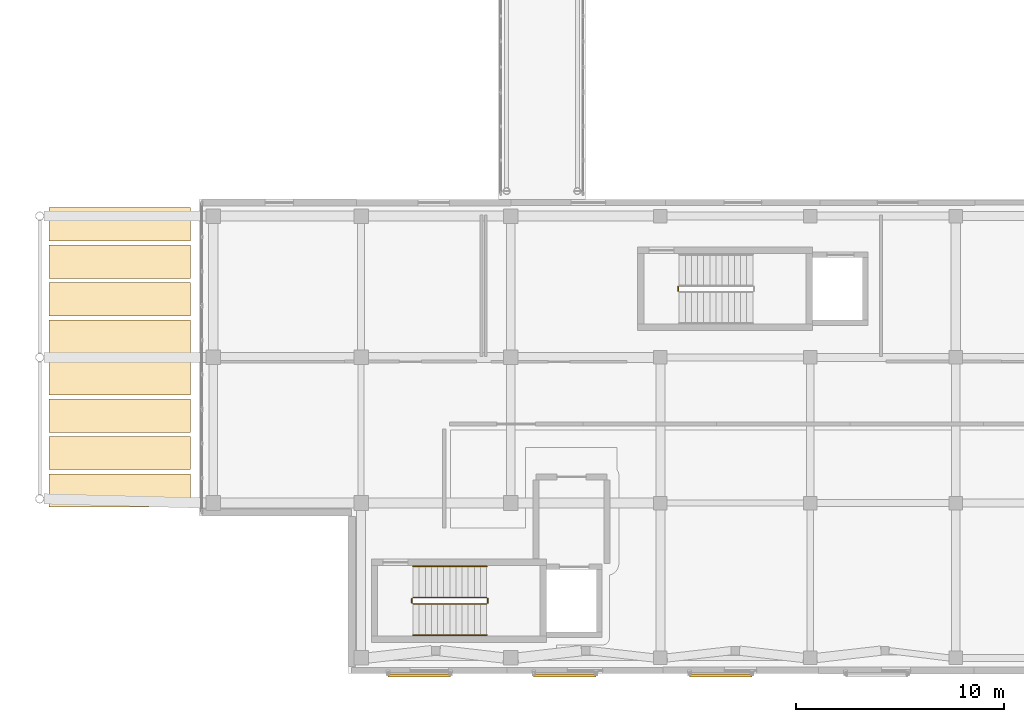
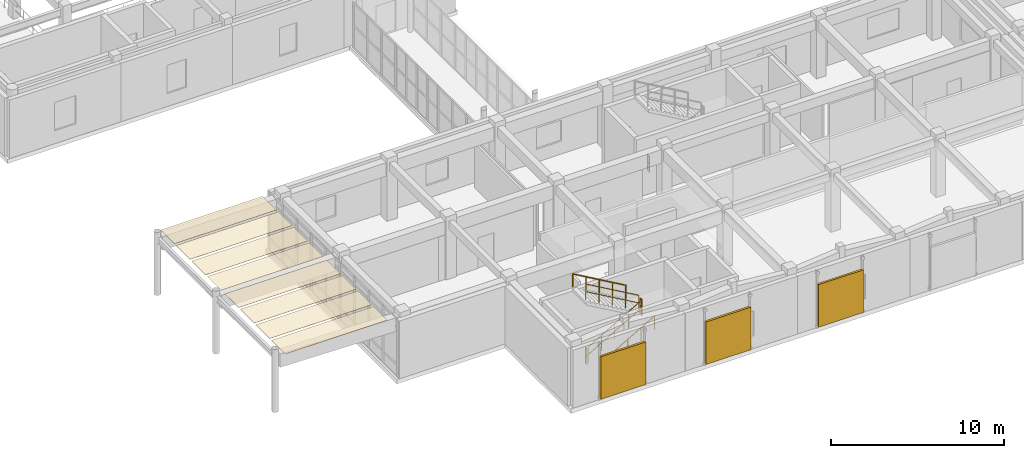
# One storey, part 133 of 142: 8 coverings, 7 railings, 3 shading devices.
"""IFC4 building model written with IfcOpenShell, lengths in metres."""

from ifc_helpers import new_model, si_unit, direction, frame, origin, origin_2d, place, context, subcontext, project, spatial, polyline, rectangle, circle, outline, extrude, material, layer, layer_set, type_object, element, save


model = new_model("IFC4")

# Units and contexts
model_context = context("Model", 3, precision=1e-05, world=origin(), true_north=direction((0.0, 1.0)))
body_context = subcontext(model_context, "Body", "Model", "MODEL_VIEW")
ifc_project = project(units=[si_unit("LENGTHUNIT", "METRE"), si_unit("AREAUNIT", "SQUARE_METRE"), si_unit("VOLUMEUNIT", "CUBIC_METRE"), si_unit("PLANEANGLEUNIT", "RADIAN"), si_unit("MASSUNIT", "GRAM", prefix="KILO")], contexts=[model_context])

# Site, building, storey
site_placement = place(None, origin())
site = spatial("IfcSite", under=ifc_project, at=site_placement, CompositionType="ELEMENT")
building_placement = place(site_placement, origin())
building = spatial("IfcBuilding", under=site, at=building_placement, Name="Valcora Specialist Clinic", CompositionType="ELEMENT")
storey_placement = place(building_placement, frame((0.0, 0.0, 5.10009765625)))
storey = spatial("IfcBuildingStorey", under=building, at=storey_placement, Name="L01", CompositionType="ELEMENT", Elevation=5.10009765625)

# Coverings
ifc_material_1 = material(Name="Anodized Bronze Aluminium 6063-T6", Category="aluminium")
ifc_layer_1 = layer(ifc_material_1, 0.02490234375)
ifc_layer_set_1 = layer_set([ifc_layer_1], Name="Anodized Bronze Aluminium 6063-T6")
covering_type = type_object("IfcCoveringType", Name="TY-CV-CLD025", PredefinedType="CLADDING", material=ifc_layer_set_1)
covering_1_placement = place(storey_placement, frame((0.0, 0.0, 4.0498046875)))
element("IfcCovering", 1, at=covering_1_placement, inside=storey, type_object=covering_type, Name="Cantilever bronze soffit cladding 1", PredefinedType="CLADDING", context=body_context, shape_type="SweptSolid", body=[
    extrude(outline(polyline([(1.199951171875, 8.0), (8.0, 8.0), (8.0, 9.60009765625), (1.199951171875, 9.60009765625), (1.199951171875, 8.0)])), origin(), (0.0, 0.0, 1.0), 0.025146484375),
])
covering_2_placement = place(storey_placement, frame((0.0, 0.0, 4.0498046875)))
element("IfcCovering", 2, at=covering_2_placement, inside=storey, type_object=covering_type, Name="Cantilever bronze soffit cladding 2", PredefinedType="CLADDING", context=body_context, shape_type="SweptSolid", body=[
    extrude(outline(polyline([(1.199951171875, 9.800048828125), (8.0, 9.800048828125), (8.0, 11.39990234375), (1.199951171875, 11.39990234375), (1.199951171875, 9.800048828125)])), origin(), (0.0, 0.0, 1.0), 0.025146484375),
])
covering_3_placement = place(storey_placement, frame((0.0, 0.0, 4.0498046875)))
element("IfcCovering", 3, at=covering_3_placement, inside=storey, type_object=covering_type, Name="Cantilever bronze soffit cladding 3", PredefinedType="CLADDING", context=body_context, shape_type="SweptSolid", body=[
    extrude(outline(polyline([(1.199951171875, 11.60009765625), (8.0, 11.60009765625), (8.0, 13.199951171875), (1.199951171875, 13.199951171875), (1.199951171875, 11.60009765625)])), origin(), (0.0, 0.0, 1.0), 0.025146484375),
])
covering_4_placement = place(storey_placement, frame((0.0, 0.0, 4.0498046875)))
element("IfcCovering", 4, at=covering_4_placement, inside=storey, type_object=covering_type, Name="Cantilever bronze soffit cladding 4", PredefinedType="CLADDING", context=body_context, shape_type="SweptSolid", body=[
    extrude(outline(polyline([(1.199951171875, 13.39990234375), (8.0, 13.39990234375), (8.0, 15.0), (1.199951171875, 15.0), (1.199951171875, 13.39990234375)])), origin(), (0.0, 0.0, 1.0), 0.025146484375),
])
covering_5_placement = place(storey_placement, frame((0.0, 0.0, 4.0498046875)))
element("IfcCovering", 5, at=covering_5_placement, inside=storey, type_object=covering_type, Name="Cantilever bronze soffit cladding 5", PredefinedType="CLADDING", context=body_context, shape_type="SweptSolid", body=[
    extrude(outline(polyline([(1.199951171875, 15.39990234375), (8.0, 15.39990234375), (8.0, 17.0), (1.199951171875, 17.0), (1.199951171875, 15.39990234375)])), origin(), (0.0, 0.0, 1.0), 0.025146484375),
])
covering_6_placement = place(storey_placement, frame((0.0, 0.0, 4.0498046875)))
element("IfcCovering", 6, at=covering_6_placement, inside=storey, type_object=covering_type, Name="Cantilever bronze soffit cladding 6", PredefinedType="CLADDING", context=body_context, shape_type="SweptSolid", body=[
    extrude(outline(polyline([(1.199951171875, 17.199951171875), (8.0, 17.199951171875), (8.0, 18.800048828125), (1.199951171875, 18.800048828125), (1.199951171875, 17.199951171875)])), origin(), (0.0, 0.0, 1.0), 0.025146484375),
])
covering_7_placement = place(storey_placement, frame((0.0, 0.0, 4.0498046875)))
element("IfcCovering", 7, at=covering_7_placement, inside=storey, type_object=covering_type, Name="Cantilever bronze soffit cladding 7", PredefinedType="CLADDING", context=body_context, shape_type="SweptSolid", body=[
    extrude(outline(polyline([(1.199951171875, 19.0), (8.0, 19.0), (8.0, 20.60009765625), (1.199951171875, 20.60009765625), (1.199951171875, 19.0)])), origin(), (0.0, 0.0, 1.0), 0.025146484375),
])
covering_8_placement = place(storey_placement, frame((0.0, 0.0, 4.0498046875)))
element("IfcCovering", 8, at=covering_8_placement, inside=storey, type_object=covering_type, Name="Cantilever bronze soffit cladding 8", PredefinedType="CLADDING", context=body_context, shape_type="SweptSolid", body=[
    extrude(outline(polyline([(1.199951171875, 20.800048828125), (8.0, 20.800048828125), (8.0, 22.39990234375), (1.199951171875, 22.39990234375), (1.199951171875, 20.800048828125)])), origin(), (0.0, 0.0, 1.0), 0.025146484375),
])

# Railings
ifc_material_2 = material(Name="Stainless Steel AISI 316", Category="steel")
railing_type_1 = type_object("IfcRailingType", Name="TY-RL-GRD112", PredefinedType="GUARDRAIL", material=ifc_material_2)
railing_1_placement = place(storey_placement, frame((18.699951171875, 3.35009765625, 0.169921875)))
element("IfcRailing", 9, at=railing_1_placement, inside=storey, type_object=railing_type_1, Name="L01 ST-V5A stair guard 1", PredefinedType="GUARDRAIL", context=body_context, shape_type="SweptSolid", body=[
    extrude(circle(Radius=0.02392578125, at=origin_2d()), frame((0.0, 0.0, 1.09619140625), z_axis=(0.866428212428, 0.0, 0.499301665038), x_axis=(0.0, 1.0, 0.0)), (0.0, 0.0, 1.0), 4.085693359375),
    extrude(circle(Radius=0.02392578125, at=origin_2d()), frame((0.0, 0.0, 0.56005859375), z_axis=(0.866428212428, 0.0, 0.499301665038), x_axis=(0.0, 1.0, 0.0)), (0.0, 0.0, 1.0), 4.085693359375),
    extrude(circle(Radius=0.02099609375, at=origin_2d()), origin(), (0.0, 0.0, 1.0), 1.072021484375),
    extrude(circle(Radius=0.02099609375, at=origin_2d()), frame((0.885009765625, 0.0, 0.510009765625)), (0.0, 0.0, 1.0), 1.072021484375),
    extrude(circle(Radius=0.02099609375, at=origin_2d()), frame((1.77001953125, 0.0, 1.02001953125)), (0.0, 0.0, 1.0), 1.072021484375),
    extrude(circle(Radius=0.02099609375, at=origin_2d()), frame((2.655029296875, 0.0, 1.530029296875)), (0.0, 0.0, 1.0), 1.072021484375),
    extrude(circle(Radius=0.02099609375, at=origin_2d()), frame((3.5400390625, 0.0, 2.0400390625)), (0.0, 0.0, 1.0), 1.072021484375),
])
railing_2_placement = place(storey_placement, frame((22.2900390625, 3.39990234375, 2.2099609375)))
element("IfcRailing", 10, at=railing_2_placement, inside=storey, type_object=railing_type_1, Name="L01 ST-V5A stair guard 2", PredefinedType="GUARDRAIL", context=body_context, shape_type="SweptSolid", body=[
    extrude(circle(Radius=0.02392578125, at=origin_2d()), frame((0.0, 0.0, 1.09619140625), z_axis=(0.0, 1.0, 0.0), x_axis=(-1.0, 0.0, 0.0)), (0.0, 0.0, 1.0), 0.2001953125),
    extrude(circle(Radius=0.02392578125, at=origin_2d()), frame((0.0, 0.0, 0.56005859375), z_axis=(0.0, 1.0, 0.0), x_axis=(-1.0, 0.0, 0.0)), (0.0, 0.0, 1.0), 0.2001953125),
    extrude(circle(Radius=0.02099609375, at=origin_2d()), origin(), (0.0, 0.0, 1.0), 1.072021484375),
    extrude(circle(Radius=0.02099609375, at=origin_2d()), frame((0.0, 0.2001953125, 0.0)), (0.0, 0.0, 1.0), 1.072021484375),
])
railing_3_placement = place(storey_placement, frame((22.239990234375, 3.64990234375, 2.3798828125)))
element("IfcRailing", 11, at=railing_3_placement, inside=storey, type_object=railing_type_1, Name="L01 ST-V5A stair guard 3", PredefinedType="GUARDRAIL", context=body_context, shape_type="SweptSolid", body=[
    extrude(circle(Radius=0.02392578125, at=origin_2d()), frame((0.0, 0.0, 1.09619140625), z_axis=(-0.866428212428, 0.0, 0.499301665038), x_axis=(0.0, -1.0, 0.0)), (0.0, 0.0, 1.0), 4.085693359375),
    extrude(circle(Radius=0.02392578125, at=origin_2d()), frame((0.0, 0.0, 0.56005859375), z_axis=(-0.866428212428, 0.0, 0.499301665038), x_axis=(0.0, -1.0, 0.0)), (0.0, 0.0, 1.0), 4.085693359375),
    extrude(circle(Radius=0.02099609375, at=origin_2d()), origin(), (0.0, 0.0, 1.0), 1.072021484375),
    extrude(circle(Radius=0.02099609375, at=origin_2d()), frame((-0.885009765625, 0.0, 0.510009765625)), (0.0, 0.0, 1.0), 1.072021484375),
    extrude(circle(Radius=0.02099609375, at=origin_2d()), frame((-1.77001953125, 0.0, 1.02001953125)), (0.0, 0.0, 1.0), 1.072021484375),
    extrude(circle(Radius=0.02099609375, at=origin_2d()), frame((-2.655029296875, 0.0, 1.530029296875)), (0.0, 0.0, 1.0), 1.072021484375),
    extrude(circle(Radius=0.02099609375, at=origin_2d()), frame((-3.5400390625, 0.0, 2.0400390625)), (0.0, 0.0, 1.0), 1.072021484375),
])
for number, where, name in (
    (12, (18.64990234375, 3.39990234375, 0.0), "L01 ST-V5A stair guard 4"),
    (13, (31.449951171875, 18.39990234375, 0.0), "L01 ST-V5B stair guard 4"),
):
    element("IfcRailing", number, at=place(storey_placement, frame(where)), inside=storey, type_object=railing_type_1, Name=name, PredefinedType="GUARDRAIL", context=body_context, shape_type="SweptSolid", body=[
        extrude(circle(Radius=0.02392578125, at=origin_2d()), frame((0.0, 0.0, 1.09619140625), z_axis=(0.0, 1.0, 0.0), x_axis=(-1.0, 0.0, 0.0)), (0.0, 0.0, 1.0), 0.2001953125),
        extrude(circle(Radius=0.02392578125, at=origin_2d()), frame((0.0, 0.0, 0.56005859375), z_axis=(0.0, 1.0, 0.0), x_axis=(-1.0, 0.0, 0.0)), (0.0, 0.0, 1.0), 0.2001953125),
        extrude(circle(Radius=0.02099609375, at=origin_2d()), origin(), (0.0, 0.0, 1.0), 1.072021484375),
        extrude(circle(Radius=0.02099609375, at=origin_2d()), frame((0.0, 0.2001953125, 0.0)), (0.0, 0.0, 1.0), 1.072021484375),
    ])
railing_type_2 = type_object("IfcRailingType", Name="TY-RL-HND092", PredefinedType="HANDRAIL", material=ifc_material_2)
railing_4_placement = place(storey_placement, frame((18.699951171875, 1.85009765625, 0.169921875)))
element("IfcRailing", 14, at=railing_4_placement, inside=storey, type_object=railing_type_2, Name="L01 ST-V5A stair handrail 1", PredefinedType="HANDRAIL", context=body_context, shape_type="SweptSolid", body=[
    extrude(circle(Radius=0.02392578125, at=origin_2d()), frame((0.0, 0.0, 0.89599609375), z_axis=(0.866428212428, 0.0, 0.499301665038), x_axis=(0.0, 1.0, 0.0)), (0.0, 0.0, 1.0), 4.085693359375),
    extrude(circle(Radius=0.02099609375, at=origin_2d()), origin(), (0.0, 0.0, 1.0), 0.871826171875),
    extrude(circle(Radius=0.02099609375, at=origin_2d()), frame((0.885009765625, 0.0, 0.510009765625)), (0.0, 0.0, 1.0), 0.871826171875),
    extrude(circle(Radius=0.02099609375, at=origin_2d()), frame((1.77001953125, 0.0, 1.02001953125)), (0.0, 0.0, 1.0), 0.871826171875),
    extrude(circle(Radius=0.02099609375, at=origin_2d()), frame((2.655029296875, 0.0, 1.530029296875)), (0.0, 0.0, 1.0), 0.871826171875),
    extrude(circle(Radius=0.02099609375, at=origin_2d()), frame((3.5400390625, 0.0, 2.0400390625)), (0.0, 0.0, 1.0), 0.871826171875),
])
railing_5_placement = place(storey_placement, frame((22.239990234375, 5.14990234375, 2.3798828125)))
element("IfcRailing", 15, at=railing_5_placement, inside=storey, type_object=railing_type_2, Name="L01 ST-V5A stair handrail 2", PredefinedType="HANDRAIL", context=body_context, shape_type="SweptSolid", body=[
    extrude(circle(Radius=0.02392578125, at=origin_2d()), frame((0.0, 0.0, 0.89599609375), z_axis=(-0.866428212428, 0.0, 0.499301665038), x_axis=(0.0, -1.0, 0.0)), (0.0, 0.0, 1.0), 4.085693359375),
    extrude(circle(Radius=0.02099609375, at=origin_2d()), origin(), (0.0, 0.0, 1.0), 0.871826171875),
    extrude(circle(Radius=0.02099609375, at=origin_2d()), frame((-0.885009765625, 0.0, 0.510009765625)), (0.0, 0.0, 1.0), 0.871826171875),
    extrude(circle(Radius=0.02099609375, at=origin_2d()), frame((-1.77001953125, 0.0, 1.02001953125)), (0.0, 0.0, 1.0), 0.871826171875),
    extrude(circle(Radius=0.02099609375, at=origin_2d()), frame((-2.655029296875, 0.0, 1.530029296875)), (0.0, 0.0, 1.0), 0.871826171875),
    extrude(circle(Radius=0.02099609375, at=origin_2d()), frame((-3.5400390625, 0.0, 2.0400390625)), (0.0, 0.0, 1.0), 0.871826171875),
])

# Shading devices
ifc_material_3 = material(Name="Perforated Jalisco Clay Brick Masonry", Category="masonry")
ifc_layer_2 = layer(ifc_material_3, 0.139892578125)
ifc_layer_set_2 = layer_set([ifc_layer_2], Name="Perforated Jalisco Clay Brick Masonry")
shading_device_type = type_object("IfcShadingDeviceType", Name="TY-SD-SCR300", PredefinedType="USERDEFINED", material=ifc_layer_set_2)
for number, where, z_axis, x_axis, name in (
    (16, (19.0, -0.10009765625, 0.119873046875), (0.0, 0.0, 1.0), (1.0, 0.0, 0.0), "Perforated Jalisco brick screen 1"),
    (17, (26.0, -0.10009765625, 0.119873046875), (0.0, 0.0, 1.0), (1.0, 0.0, 0.0), "Perforated Jalisco brick screen 2"),
    (18, (33.5, -0.10009765625, 0.119873046875), (0.0, 0.0, 1.0), (1.0, 0.0, 0.0), "Perforated Jalisco brick screen 3"),
):
    element("IfcShadingDevice", number, at=place(storey_placement, frame(where, z_axis=z_axis, x_axis=x_axis)), inside=storey, type_object=shading_device_type, Name=name, ObjectType="PERFORATED BRICK SCREEN", PredefinedType="USERDEFINED", context=body_context, shape_type="SweptSolid", body=[
        extrude(rectangle(XDim=3.0, YDim=0.139892578125, at=origin_2d()), origin(), (0.0, 0.0, 1.0), 3.0),
    ])

save(model, "model.ifc")
